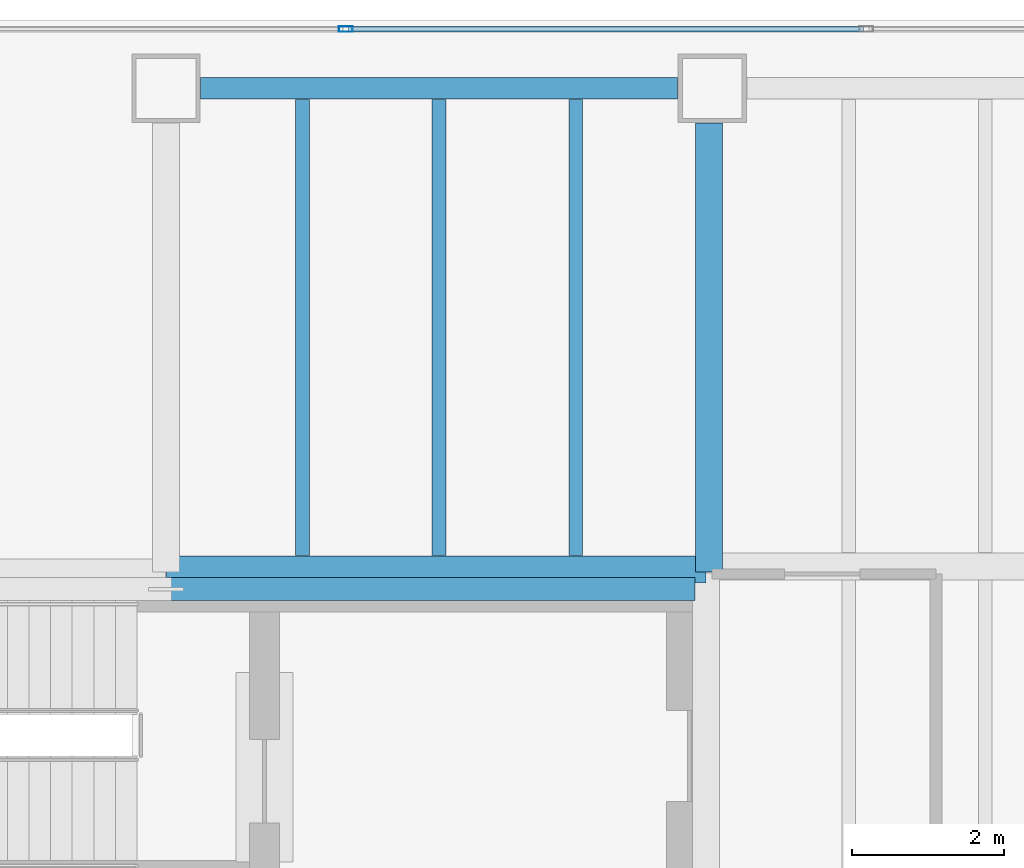
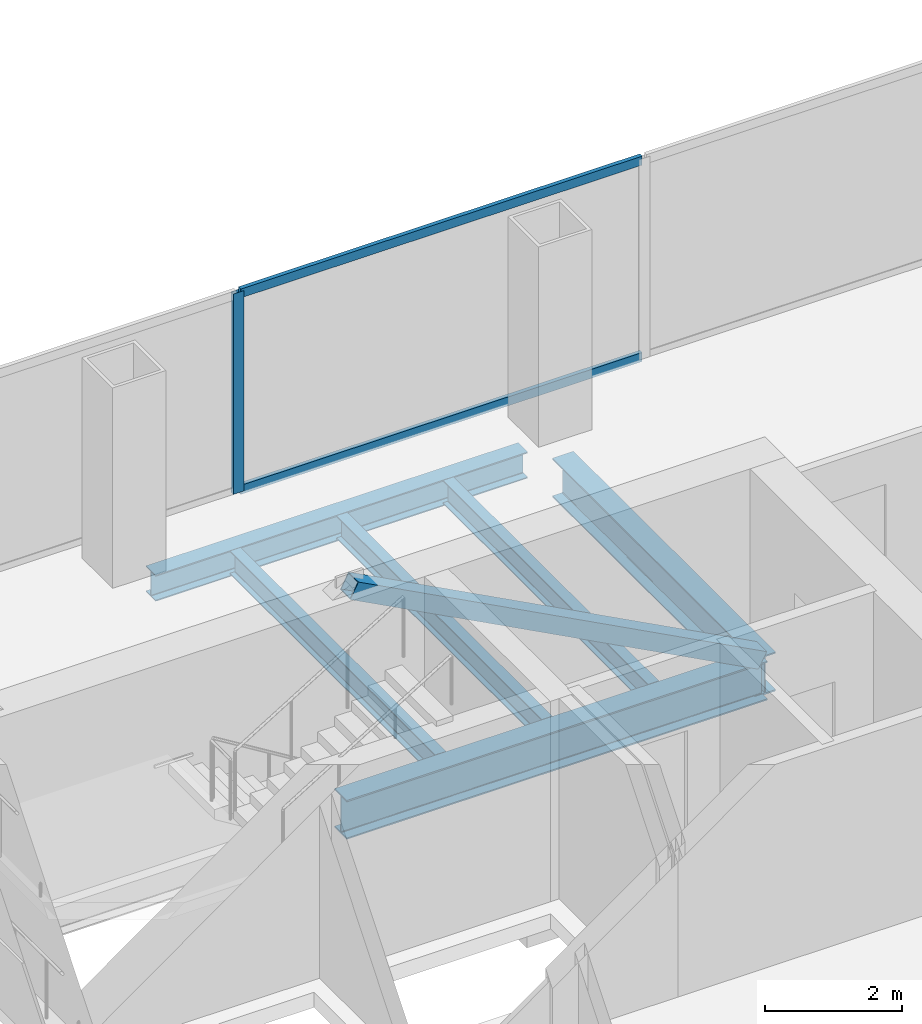
# One storey, part 17 of 23: 6 beams, 4 members, 1 element without a shape of its own.
"""IFC4 building model written with IfcOpenShell, lengths in metres."""

from ifc_helpers import new_model, si_unit, direction, frame, origin, origin_2d, place, context, subcontext, project, spatial, hollow_rectangle, i_section, extrude, material, material_profile, profile_set, type_object, element, aggregate, save


model = new_model("IFC4")

# Units and contexts
model_context = context("Model", 3, precision=1e-05, world=origin(), true_north=direction((0.0, 1.0)))
body_context = subcontext(model_context, "Body", "Model", "MODEL_VIEW")
ifc_project = project(units=[si_unit("LENGTHUNIT", "METRE"), si_unit("AREAUNIT", "SQUARE_METRE"), si_unit("VOLUMEUNIT", "CUBIC_METRE"), si_unit("PLANEANGLEUNIT", "RADIAN"), si_unit("MASSUNIT", "GRAM", prefix="KILO")], contexts=[model_context])

# Site, building, storey
site_placement = place(None, origin())
site = spatial("IfcSite", under=ifc_project, at=site_placement, CompositionType="ELEMENT")
building_placement = place(site_placement, origin())
building = spatial("IfcBuilding", under=site, at=building_placement, Name="Cobrela Telecom Tower", CompositionType="ELEMENT")
storey_placement = place(building_placement, frame((0.0, 0.0, 140.699951171875)))
storey = spatial("IfcBuildingStorey", under=building, at=storey_placement, Name="L35", CompositionType="ELEMENT", Elevation=140.699951171875)

# Beams
ifc_material_1 = material(Name="Steel ASTM A992 Grade 50", Category="steel")
ifc_material_profile_1 = material_profile(ifc_material_1, i_section(OverallWidth=0.35595703125, OverallDepth=0.696044921875, WebThickness=0.015380859375, FlangeThickness=0.024658203125, FilletRadius=0.01806640625, at=origin_2d()), Name="W27X146")
ifc_profile_set_1 = profile_set([ifc_material_profile_1], Name="Steel ASTM A992 Grade 50")
beam_type_1 = type_object("IfcBeamType", Name="BM-GIRD-05", PredefinedType="USERDEFINED", material=ifc_profile_set_1)
beam_1_placement = place(storey_placement, frame((7.205078125, 35.9599609375, -0.617919921875), z_axis=(1.0, 0.0, 0.0), x_axis=(0.0, 1.0, 0.0)))
element("IfcBeam", 1, at=beam_1_placement, inside=storey, type_object=beam_type_1, Name="L35 Primary Girder X26", ObjectType="GIRDER", PredefinedType="USERDEFINED", context=body_context, shape_type="SweptSolid", body=[
    extrude(i_section(OverallWidth=0.35595703125, OverallDepth=0.696044921875, WebThickness=0.015380859375, FlangeThickness=0.024658203125, FilletRadius=0.01806640625, at=origin_2d()), origin(), (0.0, 0.0, 1.0), 7.10986328125),
])
beam_2_placement = place(storey_placement, frame((14.360107421875, 35.925048828125, -0.617919921875), z_axis=(0.0, 1.0, 0.0), x_axis=(-1.0, 0.0, 0.0)))
element("IfcBeam", 2, at=beam_2_placement, inside=storey, type_object=beam_type_1, Name="L35 Primary Girder Y38", ObjectType="GIRDER", PredefinedType="USERDEFINED", context=body_context, shape_type="SweptSolid", body=[
    extrude(i_section(OverallWidth=0.35595703125, OverallDepth=0.696044921875, WebThickness=0.015380859375, FlangeThickness=0.024658203125, FilletRadius=0.01806640625, at=origin_2d()), origin(), (0.0, 0.0, 1.0), 5.919921875),
])
ifc_material_profile_2 = material_profile(ifc_material_1, i_section(OverallWidth=0.179931640625, OverallDepth=0.4169921875, WebThickness=0.010986328125, FlangeThickness=0.01806640625, FilletRadius=0.011962890625, at=origin_2d()), Name="W16X57")
ifc_profile_set_2 = profile_set([ifc_material_profile_2], Name="Steel ASTM A992 Grade 50")
beam_type_2 = type_object("IfcBeamType", Name="BM-JOIST-04", PredefinedType="JOIST", material=ifc_profile_set_2)
for number, where, z_axis, x_axis, name in (
    (3, (9.0, 36.14306640625, -0.478515625), (0.0, 1.0, 0.0), (-1.0, 0.0, 0.0), "L35 Secondary Composite Floor Beam J01"),
    (4, (10.800048828125, 36.14306640625, -0.478515625), (0.0, 1.0, 0.0), (-1.0, 0.0, 0.0), "L35 Secondary Composite Floor Beam J02"),
    (5, (12.60009765625, 36.14306640625, -0.478515625), (0.0, 1.0, 0.0), (-1.0, 0.0, 0.0), "L35 Secondary Composite Floor Beam J03"),
):
    element("IfcBeam", number, at=place(storey_placement, frame(where, z_axis=z_axis, x_axis=x_axis)), inside=storey, type_object=beam_type_2, Name=name, PredefinedType="JOIST", context=body_context, shape_type="SweptSolid", body=[
        extrude(i_section(OverallWidth=0.179931640625, OverallDepth=0.4169921875, WebThickness=0.010986328125, FlangeThickness=0.01806640625, FilletRadius=0.011962890625, at=origin_2d()), origin(), (0.0, 0.0, 1.0), 6.010986328125),
    ])
ifc_material_profile_3 = material_profile(ifc_material_1, i_section(OverallWidth=0.281982421875, OverallDepth=0.467041015625, WebThickness=0.01220703125, FlangeThickness=0.01953125, FilletRadius=0.012939453125, at=origin_2d()), Name="W18X86")
ifc_profile_set_3 = profile_set([ifc_material_profile_3], Name="Steel ASTM A992 Grade 50")
beam_type_3 = type_object("IfcBeamType", Name="BM-SPAND-04", PredefinedType="SPANDREL", material=ifc_profile_set_3)
beam_3_placement = place(storey_placement, frame((7.655029296875, 42.300048828125, -0.50341796875), z_axis=(1.0, 0.0, 0.0), x_axis=(0.0, 1.0, 0.0)))
element("IfcBeam", 6, at=beam_3_placement, inside=storey, type_object=beam_type_3, Name="L35 Perimeter Spandrel X29", PredefinedType="SPANDREL", context=body_context, shape_type="SweptSolid", body=[
    extrude(i_section(OverallWidth=0.281982421875, OverallDepth=0.467041015625, WebThickness=0.01220703125, FlangeThickness=0.01953125, FilletRadius=0.012939453125, at=origin_2d()), origin(), (0.0, 0.0, 1.0), 6.2900390625),
])

# Curtain wall, members
ifc_material_2 = material(Name="Anodized Bronze Aluminium 6063-T6", Category="aluminium")
curtain_wall_type = type_object("IfcCurtainWallType", Name="CW-SYS-TEL", PredefinedType="USERDEFINED", material=ifc_material_2)
curtain_wall_placement = place(storey_placement, origin())
curtain_wall = element("IfcCurtainWall", 7, at=curtain_wall_placement, inside=storey, type_object=curtain_wall_type, Name="L35 Unitised Bronze Curtain Wall 07", ObjectType="UNITISED CURTAIN WALL", PredefinedType="USERDEFINED")
ifc_material_profile_4 = material_profile(ifc_material_2, hollow_rectangle(XDim=0.074951171875, YDim=0.179931640625, WallThickness=0.00390625, at=origin_2d()), Name="ALU 75x180x4")
ifc_profile_set_4 = profile_set([ifc_material_profile_4], Name="Anodized Bronze Aluminium 6063-T6")
member_type_1 = type_object("IfcMemberType", Name="CW-SYS-TEL-MUL", PredefinedType="MULLION", material=ifc_profile_set_4)
member_1_placement = place(storey_placement, frame((9.570068359375, 43.080078125, 0.0), z_axis=(0.0, 0.0, 1.0), x_axis=(0.0, 1.0, 0.0)))
member_1 = element("IfcMember", 8, at=member_1_placement, type_object=member_type_1, Name="CW-TEL mullion 2", PredefinedType="MULLION", context=body_context, shape_type="SweptSolid", body=[
    extrude(hollow_rectangle(XDim=0.074951171875, YDim=0.179931640625, WallThickness=0.00390625, at=origin_2d()), origin(), (0.0, 0.0, 1.0), 3.580078125),
])
ifc_material_profile_5 = material_profile(ifc_material_2, hollow_rectangle(XDim=0.070068359375, YDim=0.159912109375, WallThickness=0.00390625, at=origin_2d()), Name="ALU 70x160x4")
ifc_profile_set_5 = profile_set([ifc_material_profile_5], Name="Anodized Bronze Aluminium 6063-T6")
member_type_2 = type_object("IfcMemberType", Name="CW-SYS-TEL-TRN", PredefinedType="USERDEFINED", material=ifc_profile_set_5)
member_2_placement = place(storey_placement, frame((9.607421875, 43.080078125, 0.03515625), z_axis=(1.0, 0.0, 0.0), x_axis=(0.0, 1.0, 0.0)))
member_2 = element("IfcMember", 9, at=member_2_placement, type_object=member_type_2, Name="CW-TEL transom 2.1", ObjectType="TRANSOM", PredefinedType="USERDEFINED", context=body_context, shape_type="SweptSolid", body=[
    extrude(hollow_rectangle(XDim=0.070068359375, YDim=0.159912109375, WallThickness=0.00390625, at=origin_2d()), origin(), (0.0, 0.0, 1.0), 6.78515625),
])
member_3_placement = place(storey_placement, frame((9.607421875, 43.080078125, 3.545166015625), z_axis=(1.0, 0.0, 0.0), x_axis=(0.0, 1.0, 0.0)))
member_3 = element("IfcMember", 10, at=member_3_placement, type_object=member_type_2, Name="CW-TEL transom 2.2", ObjectType="TRANSOM", PredefinedType="USERDEFINED", context=body_context, shape_type="SweptSolid", body=[
    extrude(hollow_rectangle(XDim=0.070068359375, YDim=0.159912109375, WallThickness=0.00390625, at=origin_2d()), origin(), (0.0, 0.0, 1.0), 6.78515625),
])
aggregate(curtain_wall, [member_1, member_2, member_3])

# Member
ifc_material_3 = material(Name="Steel ASTM A572 Grade 50", Category="steel")
ifc_material_profile_6 = material_profile(ifc_material_3, hollow_rectangle(XDim=0.300048828125, YDim=0.300048828125, WallThickness=0.01611328125, at=origin_2d()), Name="HSS 300x300x16")
ifc_profile_set_6 = profile_set([ifc_material_profile_6], Name="Steel ASTM A572 Grade 50")
member_type_3 = type_object("IfcMemberType", Name="MBR-EXO-03", PredefinedType="BRACE", material=ifc_profile_set_6)
member_4_placement = place(storey_placement, frame((14.10009765625, 35.699951171875, -0.0400390625), z_axis=(-0.883409759267, 0.0, 0.468601320134), x_axis=(0.0, -1.0, 0.0)))
element("IfcMember", 11, at=member_4_placement, inside=storey, type_object=member_type_3, Name="L35 Core Flange Steel Brace N2", PredefinedType="BRACE", context=body_context, shape_type="SweptSolid", body=[
    extrude(hollow_rectangle(XDim=0.300048828125, YDim=0.300048828125, WallThickness=0.01611328125, at=origin_2d()), origin(), (0.0, 0.0, 1.0), 7.810791015625),
])

save(model, "model.ifc")
